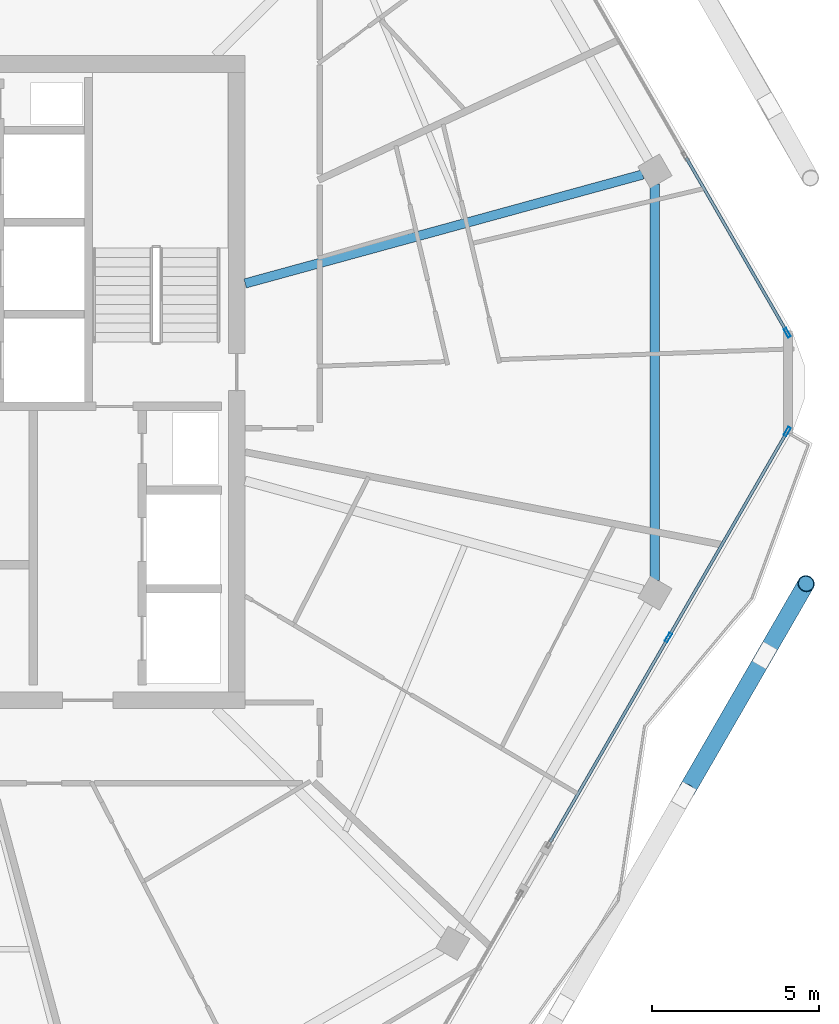
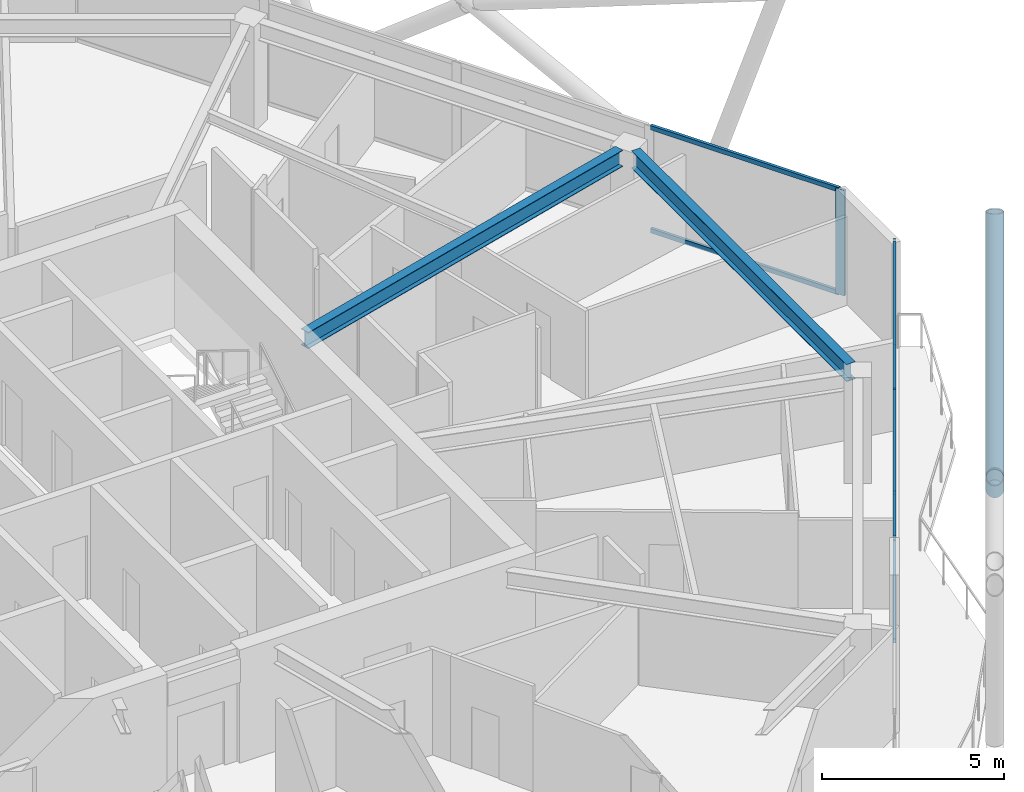
# One storey, part 9 of 24: 11 members, 2 beams, 2 elements without a shape of their own.
"""IFC4 building model written with IfcOpenShell, lengths in metres."""

from ifc_helpers import new_model, si_unit, direction, frame, origin, origin_2d, place, context, subcontext, project, spatial, hollow_rectangle, hollow_circle, i_section, extrude, material, material_profile, profile_set, type_object, element, aggregate, save


model = new_model("IFC4")

# Units and contexts
model_context = context("Model", 3, precision=1e-05, world=origin(), true_north=direction((0.0, 1.0)))
body_context = subcontext(model_context, "Body", "Model", "MODEL_VIEW")
ifc_project = project(units=[si_unit("LENGTHUNIT", "METRE"), si_unit("AREAUNIT", "SQUARE_METRE"), si_unit("VOLUMEUNIT", "CUBIC_METRE"), si_unit("PLANEANGLEUNIT", "RADIAN"), si_unit("MASSUNIT", "GRAM", prefix="KILO")], contexts=[model_context])

# Site, building, storey
site_placement = place(None, origin())
site = spatial("IfcSite", under=ifc_project, at=site_placement, CompositionType="ELEMENT")
building_placement = place(site_placement, origin())
building = spatial("IfcBuilding", under=site, at=building_placement, Name="Zuhravey Tower", CompositionType="ELEMENT")
storey_placement = place(building_placement, frame((0.0, 0.0, 338.60009765625)))
storey = spatial("IfcBuildingStorey", under=building, at=storey_placement, Name="L86", CompositionType="ELEMENT", Elevation=338.60009765625)

# Curtain wall, members
ifc_material_1 = material(Name="Thermally broken anodised aluminium", Category="aluminium")
curtain_wall_type = type_object("IfcCurtainWallType", Name="Zone 3-4 High-Rise Curtain Wall CW4", PredefinedType="NOTDEFINED", material=ifc_material_1)
curtain_wall_1_placement = place(storey_placement, origin())
curtain_wall_1 = element("IfcCurtainWall", 1, at=curtain_wall_1_placement, inside=storey, type_object=curtain_wall_type, Name="L86 CW4 CW-L86-F6-1", PredefinedType="NOTDEFINED")
ifc_material_2 = material(Name="Anodised aluminium", Category="aluminium")
ifc_material_profile_1 = material_profile(ifc_material_2, hollow_rectangle(XDim=0.090087890625, YDim=0.284912109375, WallThickness=0.0048828125, at=origin_2d()), Name="ALU-RHS-90x285x5")
ifc_profile_set_1 = profile_set([ifc_material_profile_1], Name="Anodised aluminium")
member_type_1 = type_object("IfcMemberType", Name="Curtain-Wall Mullion 90x180", PredefinedType="MULLION", material=ifc_profile_set_1)
member_1_placement = place(storey_placement, frame((62.94580078125, 30.5234375, 0.0), z_axis=(0.0, 0.0, 1.0), x_axis=(0.86602610435, -0.499998786583, 0.0)))
member_1 = element("IfcMember", 2, at=member_1_placement, type_object=member_type_1, Name="CW4 mullion 1", PredefinedType="MULLION", context=body_context, shape_type="SweptSolid", body=[
    extrude(hollow_rectangle(XDim=0.090087890625, YDim=0.284912109375, WallThickness=0.0048828125, at=origin_2d()), origin(), (0.0, 0.0, 1.0), 3.5498046875),
])
member_2_placement = place(storey_placement, frame((59.394775390625, 24.37255859375, 0.0), z_axis=(0.0, 0.0, 1.0), x_axis=(0.86602610435, -0.499998786583, 0.0)))
member_2 = element("IfcMember", 3, at=member_2_placement, type_object=member_type_1, Name="CW4 mullion 2", PredefinedType="MULLION", context=body_context, shape_type="SweptSolid", body=[
    extrude(hollow_rectangle(XDim=0.090087890625, YDim=0.284912109375, WallThickness=0.0048828125, at=origin_2d()), origin(), (0.0, 0.0, 1.0), 3.5498046875),
])

# Curtain wall, member
curtain_wall_2_placement = place(storey_placement, origin())
curtain_wall_2 = element("IfcCurtainWall", 4, at=curtain_wall_2_placement, inside=storey, type_object=curtain_wall_type, Name="L86 CW4 CW-L86-F1-1", PredefinedType="NOTDEFINED")
member_3_placement = place(storey_placement, frame((62.94580078125, 33.4765625, 0.0), z_axis=(0.0, 0.0, 1.0), x_axis=(0.866025511541, 0.49999981336, 0.0)))
member_3 = element("IfcMember", 5, at=member_3_placement, type_object=member_type_1, Name="CW4 mullion 5", PredefinedType="MULLION", context=body_context, shape_type="SweptSolid", body=[
    extrude(hollow_rectangle(XDim=0.090087890625, YDim=0.284912109375, WallThickness=0.0048828125, at=origin_2d()), origin(), (0.0, 0.0, 1.0), 3.5498046875),
])

# Member
ifc_material_profile_2 = material_profile(ifc_material_2, hollow_rectangle(XDim=0.090087890625, YDim=0.14990234375, WallThickness=0.0048828125, at=origin_2d()), Name="ALU-RHS-90x150x5")
ifc_profile_set_2 = profile_set([ifc_material_profile_2], Name="Anodised aluminium")
member_type_2 = type_object("IfcMemberType", Name="Curtain-Wall Transom 90x150", PredefinedType="USERDEFINED", material=ifc_profile_set_2)
member_4_placement = place(storey_placement, frame((62.92333984375, 30.484619140625, 0.044921875), z_axis=(-0.499984647717, -0.866034267248, 0.0), x_axis=(0.866034267248, -0.499984647717, 0.0)))
member_4 = element("IfcMember", 6, at=member_4_placement, type_object=member_type_2, Name="CW4 transom 1.1", ObjectType="TRANSOM", PredefinedType="USERDEFINED", context=body_context, shape_type="SweptSolid", body=[
    extrude(hollow_rectangle(XDim=0.090087890625, YDim=0.14990234375, WallThickness=0.0048828125, at=origin_2d()), origin(), (0.0, 0.0, 1.0), 7.012451171875),
])

member_5_placement = place(storey_placement, frame((62.92333984375, 30.484619140625, 3.5048828125), z_axis=(-0.499984647717, -0.866034267248, 0.0), x_axis=(0.866034267248, -0.499984647717, 0.0)))
member_5 = element("IfcMember", 7, at=member_5_placement, type_object=member_type_2, Name="CW4 transom 1.2", ObjectType="TRANSOM", PredefinedType="USERDEFINED", context=body_context, shape_type="SweptSolid", body=[
    extrude(hollow_rectangle(XDim=0.090087890625, YDim=0.14990234375, WallThickness=0.0048828125, at=origin_2d()), origin(), (0.0, 0.0, 1.0), 7.012451171875),
])

member_6_placement = place(storey_placement, frame((59.372314453125, 24.333740234375, 0.044921875), z_axis=(-0.500010759155, -0.866019191894, 0.0), x_axis=(0.866019191894, -0.500010759155, 0.0)))
member_6 = element("IfcMember", 8, at=member_6_placement, type_object=member_type_2, Name="CW4 transom 2.1", ObjectType="TRANSOM", PredefinedType="USERDEFINED", context=body_context, shape_type="SweptSolid", body=[
    extrude(hollow_rectangle(XDim=0.090087890625, YDim=0.14990234375, WallThickness=0.0048828125, at=origin_2d()), origin(), (0.0, 0.0, 1.0), 7.012451171875),
])

member_7_placement = place(storey_placement, frame((59.372314453125, 24.333740234375, 3.5048828125), z_axis=(-0.500010759155, -0.866019191894, 0.0), x_axis=(0.866019191894, -0.500010759155, 0.0)))
member_7 = element("IfcMember", 9, at=member_7_placement, type_object=member_type_2, Name="CW4 transom 2.2", ObjectType="TRANSOM", PredefinedType="USERDEFINED", context=body_context, shape_type="SweptSolid", body=[
    extrude(hollow_rectangle(XDim=0.090087890625, YDim=0.14990234375, WallThickness=0.0048828125, at=origin_2d()), origin(), (0.0, 0.0, 1.0), 7.012451171875),
])

aggregate(curtain_wall_1, [member_1, member_2, member_4, member_5, member_6, member_7])

member_8_placement = place(storey_placement, frame((59.93115234375, 38.6982421875, 0.044921875), z_axis=(0.499982594807, -0.866035452444, 0.0), x_axis=(0.866035452444, 0.499982594807, 0.0)))
member_8 = element("IfcMember", 10, at=member_8_placement, type_object=member_type_2, Name="CW4 transom 4.1", ObjectType="TRANSOM", PredefinedType="USERDEFINED", context=body_context, shape_type="SweptSolid", body=[
    extrude(hollow_rectangle(XDim=0.090087890625, YDim=0.14990234375, WallThickness=0.0048828125, at=origin_2d()), origin(), (0.0, 0.0, 1.0), 5.984619140625),
])

member_9_placement = place(storey_placement, frame((59.93115234375, 38.6982421875, 3.5048828125), z_axis=(0.499982594807, -0.866035452444, 0.0), x_axis=(0.866035452444, 0.499982594807, 0.0)))
member_9 = element("IfcMember", 11, at=member_9_placement, type_object=member_type_2, Name="CW4 transom 4.2", ObjectType="TRANSOM", PredefinedType="USERDEFINED", context=body_context, shape_type="SweptSolid", body=[
    extrude(hollow_rectangle(XDim=0.090087890625, YDim=0.14990234375, WallThickness=0.0048828125, at=origin_2d()), origin(), (0.0, 0.0, 1.0), 5.984619140625),
])

aggregate(curtain_wall_2, [member_3, member_8, member_9])

# Members
ifc_material_3 = material(Name="Steel SM355", Category="steel")
ifc_material_profile_3 = material_profile(ifc_material_3, hollow_circle(Radius=0.25390625, WallThickness=0.02490234375, at=origin_2d()), Name="CHS-508.0x25")
ifc_profile_set_3 = profile_set([ifc_material_profile_3], Name="Steel SM355")
member_type_3 = type_object("IfcMemberType", Name="Exoskeleton Zone 4 Diagrid CHS508x25", PredefinedType="BRACE", material=ifc_profile_set_3)
member_10_placement = place(storey_placement, frame((62.275146484375, 23.842041015625, -0.447998046875), z_axis=(0.155232250241, 0.2688504816, 0.950590535945), x_axis=(-0.866009569118, 0.500027425445, 0.0)))
element("IfcMember", 12, at=member_10_placement, inside=storey, type_object=member_type_3, Name="L86 Face 6 Diagrid Brace 4", PredefinedType="BRACE", context=body_context, shape_type="SweptSolid", body=[
    extrude(hollow_circle(Radius=0.25390625, WallThickness=0.02490234375, at=origin_2d()), origin(), (0.0, 0.0, 1.0), 7.961181640625),
])
member_11_placement = place(storey_placement, frame((62.259033203125, 23.81396484375, -0.442626953125), z_axis=(-0.39284137285, -0.680436561875, 0.618612755317), x_axis=(0.866030286288, -0.49999154316, 0.0)))
element("IfcMember", 13, at=member_11_placement, inside=storey, type_object=member_type_3, Name="L86 Face 6 Split Diagrid Brace 3A", PredefinedType="BRACE", context=body_context, shape_type="SweptSolid", body=[
    extrude(hollow_circle(Radius=0.25390625, WallThickness=0.02490234375, at=origin_2d()), origin(), (0.0, 0.0, 1.0), 5.8642578125),
])

# Beams
ifc_material_profile_4 = material_profile(ifc_material_3, i_section(OverallWidth=0.280029296875, OverallDepth=0.580078125, WebThickness=0.011962890625, FlangeThickness=0.01904296875, at=origin_2d()), Name="H-580x280x12x19")
ifc_profile_set_4 = profile_set([ifc_material_profile_4], Name="Steel SM355")
beam_type_1 = type_object("IfcBeamType", Name="Perimeter Ring Beam H580x280", PredefinedType="BEAM", material=ifc_profile_set_4)
beam_1_placement = place(storey_placement, frame((58.993408203125, 26.07568359375, 3.260009765625), z_axis=(0.0, 1.0, 0.0), x_axis=(-1.0, 0.0, 0.0)))
element("IfcBeam", 14, at=beam_1_placement, inside=storey, type_object=beam_type_1, Name="L86 PB4 BM-L86-PB-12", PredefinedType="BEAM", context=body_context, shape_type="SweptSolid", body=[
    extrude(i_section(OverallWidth=0.280029296875, OverallDepth=0.580078125, WebThickness=0.011962890625, FlangeThickness=0.01904296875, at=origin_2d()), origin(), (0.0, 0.0, 1.0), 11.8486328125),
])
ifc_material_profile_5 = material_profile(ifc_material_3, i_section(OverallWidth=0.280029296875, OverallDepth=0.550048828125, WebThickness=0.010986328125, FlangeThickness=0.01806640625, at=origin_2d()), Name="H-550x280x11x18")
ifc_profile_set_5 = profile_set([ifc_material_profile_5], Name="Steel SM355")
beam_type_2 = type_object("IfcBeamType", Name="Radial Primary Girder H550x280", PredefinedType="BEAM", material=ifc_profile_set_5)
beam_2_placement = place(storey_placement, frame((46.7529296875, 34.947265625, 3.27490234375), z_axis=(0.964428588077, 0.264343523658, 0.0), x_axis=(-0.264343523658, 0.964428588077, 0.0)))
element("IfcBeam", 15, at=beam_2_placement, inside=storey, type_object=beam_type_2, Name="L86 RG4 BM-L86-RAD-01", PredefinedType="BEAM", context=body_context, shape_type="SweptSolid", body=[
    extrude(i_section(OverallWidth=0.280029296875, OverallDepth=0.550048828125, WebThickness=0.010986328125, FlangeThickness=0.01806640625, at=origin_2d()), origin(), (0.0, 0.0, 1.0), 12.31396484375),
])

save(model, "model.ifc")
